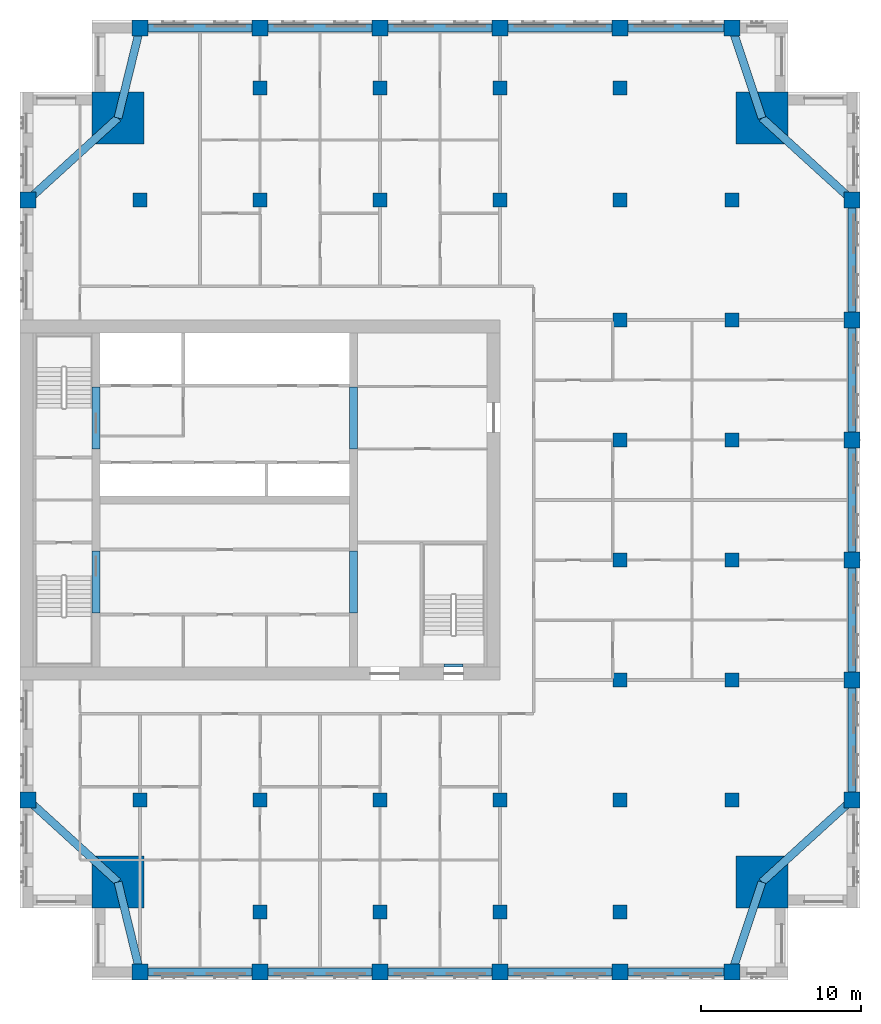
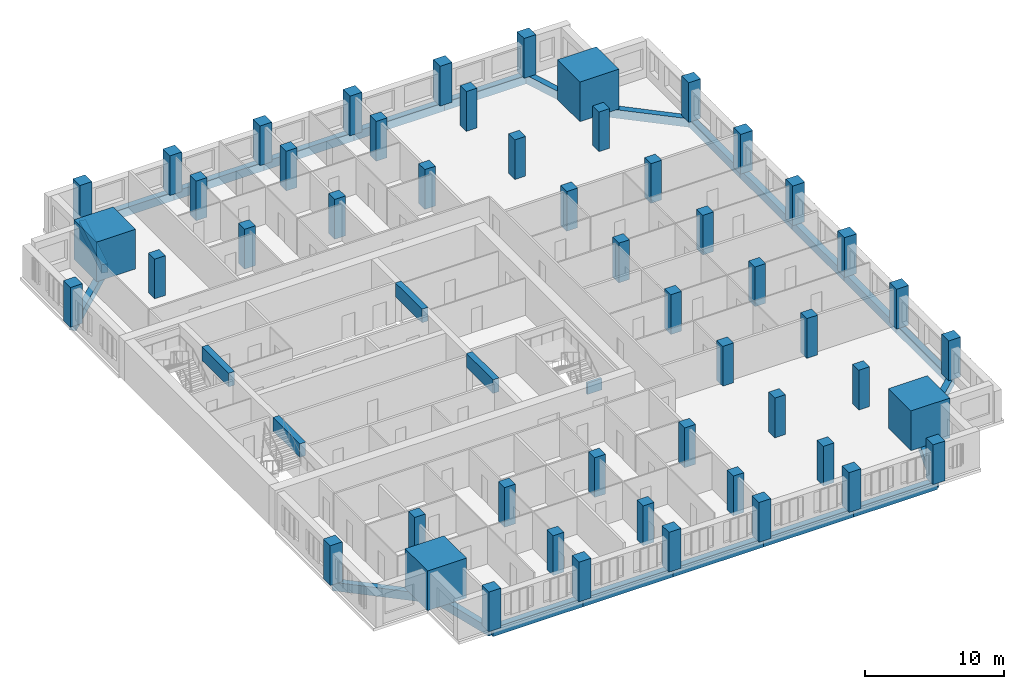
# One storey, part 1 of 14: 52 columns, 28 beams.
"""IFC4 building model written with IfcOpenShell, lengths in metres."""

import ifcopenshell
import ifcopenshell.guid

model = None  # the IFC model being written
_history = None  # IfcOwnerHistory: only IFC2X3 demands one
_inside = {}  # id of a spatial element -> (the spatial element, [elements in it])
_under = {}  # id of a project, library or spatial element -> (it, [spatial elements below it])
_declared = {}  # id of a project -> (the project, [libraries it declares])
_typed = {}  # id of a type object -> (the type object, [elements of that type])
_made_of = {}  # id of a material, layer set ... -> (it, [elements and type objects made of it])


def new_model(schema):
    """Start an empty IFC model of exactly this schema.

    Asked for "IFC4X3", IfcOpenShell would pick the latest addendum, in which some entities
    have other attributes; the version numbers below select the first issue.
    IFC2X3 requires an IfcOwnerHistory on every rooted entity: one is made here for all.
    """
    global model, _history
    if schema == "IFC4X3":
        model = ifcopenshell.file(schema_version=(4, 3, 0, 0))
    else:
        model = ifcopenshell.file(schema=schema)
    _inside.clear()
    _under.clear()
    _declared.clear()
    _typed.clear()
    _made_of.clear()
    _history = None
    if model.schema == "IFC2X3":
        org = make("IfcOrganization", Name="unknown")
        user = make(
            "IfcPersonAndOrganization",
            ThePerson=make("IfcPerson", FamilyName="unknown"),
            TheOrganization=org,
        )
        app = make(
            "IfcApplication",
            ApplicationDeveloper=org,
            Version="unknown",
            ApplicationFullName="unknown",
            ApplicationIdentifier="unknown",
        )
        _history = make(
            "IfcOwnerHistory",
            OwningUser=user,
            OwningApplication=app,
            ChangeAction="ADDED",
            CreationDate=0,
        )
    return model


def make(cls, **values):
    """One entity of the class cls with the attributes given. An attribute that is None is left unset."""
    return model.create_entity(
        cls, **{name: value for name, value in values.items() if value is not None}
    )


def rooted(cls, **values):
    """An entity with a GlobalId (a new one), such as an element, a storey or a relation."""
    return make(cls, GlobalId=ifcopenshell.guid.new(), OwnerHistory=_history, **values)


def si_unit(unit_type, name, prefix=None):
    """IfcSIUnit, for example si_unit("LENGTHUNIT", "METRE", prefix="MILLI")."""
    return make("IfcSIUnit", UnitType=unit_type, Prefix=prefix, Name=name)


def assignment(units):
    """IfcUnitAssignment: the units of a project."""
    return None if units is None else make("IfcUnitAssignment", Units=units)


def point(xyz):
    """IfcCartesianPoint."""
    return None if xyz is None else make("IfcCartesianPoint", Coordinates=xyz)


def direction(xyz):
    """IfcDirection."""
    return None if xyz is None else make("IfcDirection", DirectionRatios=xyz)


def frame(location, z_axis=None, x_axis=None):
    """IfcAxis2Placement3D, a coordinate frame: its origin and axes. An axis left out is left unset."""
    return make(
        "IfcAxis2Placement3D",
        Location=point(location),
        Axis=direction(z_axis),
        RefDirection=direction(x_axis),
    )


def frame_2d(location, x_axis=None):
    """IfcAxis2Placement2D, a coordinate frame in the plane: its origin and x axis."""
    return make(
        "IfcAxis2Placement2D", Location=point(location), RefDirection=direction(x_axis)
    )


def origin():
    """The frame at (0, 0, 0) with its axes left unset."""
    return frame((0.0, 0.0, 0.0))


def origin_2d():
    """The frame at (0, 0) in the plane with its x axis left unset."""
    return frame_2d((0.0, 0.0))


def place(relative_to, where):
    """IfcLocalPlacement: puts the frame where relative to a parent placement (None: the world)."""
    return make(
        "IfcLocalPlacement", PlacementRelTo=relative_to, RelativePlacement=where
    )


def context(
    kind, dimensions, precision=None, world=None, true_north=None, identifier=None
):
    """IfcGeometricRepresentationContext, for example the 3D "Model" context."""
    return make(
        "IfcGeometricRepresentationContext",
        ContextIdentifier=identifier,
        ContextType=kind,
        CoordinateSpaceDimension=dimensions,
        Precision=precision,
        WorldCoordinateSystem=world,
        TrueNorth=true_north,
    )


def subcontext(parent, identifier, kind, view, scale=None):
    """IfcGeometricRepresentationSubContext, for example "Body" below "Model"."""
    return make(
        "IfcGeometricRepresentationSubContext",
        ContextIdentifier=identifier,
        ContextType=kind,
        ParentContext=parent,
        TargetScale=scale,
        TargetView=view,
    )


def project(units=None, contexts=None):
    """IfcProject with its units and contexts."""
    return rooted(
        "IfcProject",
        Name="project",
        RepresentationContexts=contexts,
        UnitsInContext=assignment(units),
    )


def spatial(cls, under=None, at=None, **own):
    """A site, building, storey or space (cls), placed at a placement, below another one or the project."""
    s = rooted(cls, ObjectPlacement=at, **own)
    if under is not None:
        _under.setdefault(under.id(), (under, []))[1].append(s)
    return s


def profile(cls, at=None, kind="AREA", **sizes):
    """A parametric profile (cls). Its sizes go by their IFC names, for example OverallWidth=200.0."""
    return make(cls, ProfileType=kind, Position=at, **sizes)


def rectangle(**sizes):
    """IfcRectangleProfileDef."""
    return profile("IfcRectangleProfileDef", **sizes)


def extrude(swept, where, along, depth):
    """IfcExtrudedAreaSolid: the profile swept, set in the frame where, extruded along a direction by depth."""
    return make(
        "IfcExtrudedAreaSolid",
        SweptArea=swept,
        Position=where,
        ExtrudedDirection=direction(along),
        Depth=depth,
    )


def shape(context_of_items, identifier, shape_type, items):
    """IfcShapeRepresentation: the items that make up one representation, for example the "Body"."""
    return make(
        "IfcShapeRepresentation",
        ContextOfItems=context_of_items,
        RepresentationIdentifier=identifier,
        RepresentationType=shape_type,
        Items=items,
    )


def material(Name=None, Category=None):
    """IfcMaterial."""
    return make("IfcMaterial", Name=Name, Category=Category)


def material_profile(
    of_material, cross_section, Name=None, Category=None, Priority=None
):
    """IfcMaterialProfile: a cross section and its material."""
    return make(
        "IfcMaterialProfile",
        Name=Name,
        Material=of_material,
        Profile=cross_section,
        Priority=Priority,
        Category=Category,
    )


def profile_set(profiles, Name=None, composite=None):
    """IfcMaterialProfileSet."""
    return make(
        "IfcMaterialProfileSet",
        Name=Name,
        MaterialProfiles=profiles,
        CompositeProfile=composite,
    )


def made_of(thing, what):
    """Note that an element or type object is made of a material, layer set ...; save() writes the relation."""
    if what is not None:
        _made_of.setdefault(what.id(), (what, []))[1].append(thing)
    return thing


def type_object(cls, material=None, **own):
    """A type object (cls), such as IfcWallType, which elements share."""
    return made_of(rooted(cls, **own), material)


def element(
    cls,
    number,
    at=None,
    inside=None,
    cuts=None,
    type_object=None,
    material=None,
    context=None,
    identifier="Body",
    shape_type=None,
    held_by="IfcProductDefinitionShape",
    body=None,
    shapes=None,
    **own,
):
    """One element of the class cls, such as IfcWall. Its Tag is "e" and its number.

    at: its placement. inside: the storey or other place that contains it. cuts: it is an
    opening in that element (IfcRelVoidsElement). A single representation is given by context,
    identifier, shape_type and body (its items); several are given by shapes. held_by: the class
    of the entity that holds the representations. save() writes the other relations.
    """
    e = rooted(cls, Tag="e%d" % number, ObjectPlacement=at, **own)
    if body is not None:
        shapes = [shape(context, identifier, shape_type, body)]
    if shapes is not None:
        e.Representation = make(held_by, Representations=shapes)
    if inside is not None:
        _inside.setdefault(inside.id(), (inside, []))[1].append(e)
    if cuts is not None:
        rooted(
            "IfcRelVoidsElement", RelatingBuildingElement=cuts, RelatedOpeningElement=e
        )
    if type_object is not None:
        _typed.setdefault(type_object.id(), (type_object, []))[1].append(e)
    return made_of(e, material)


def aggregate(whole, parts):
    """IfcRelAggregates: a whole, such as a stair, and the parts it consists of."""
    return rooted("IfcRelAggregates", RelatingObject=whole, RelatedObjects=parts)


def save(model, path):
    """Write the relations noted so far, then the file.

    IfcRelAggregates (storeys below a building ...), IfcRelContainedInSpatialStructure (elements
    in a storey), IfcRelDefinesByType, IfcRelAssociatesMaterial and IfcRelDeclares: one each for
    every whole, place, type object, material and project.
    """
    for whole, parts in _under.values():
        aggregate(whole, parts)
    for where, things in _inside.values():
        rooted(
            "IfcRelContainedInSpatialStructure",
            RelatedElements=things,
            RelatingStructure=where,
        )
    for kind, things in _typed.values():
        rooted("IfcRelDefinesByType", RelatedObjects=things, RelatingType=kind)
    for what, things in _made_of.values():
        rooted("IfcRelAssociatesMaterial", RelatedObjects=things, RelatingMaterial=what)
    for by, libraries in _declared.values():
        rooted("IfcRelDeclares", RelatingContext=by, RelatedDefinitions=libraries)
    model.write(path)


model = new_model("IFC4")

# Units and contexts
model_context = context("Model", 3, precision=1e-05, world=origin(), true_north=direction((0.0, 1.0)))
body_context = subcontext(model_context, "Body", "Model", "MODEL_VIEW")
ifc_project = project(units=[si_unit("LENGTHUNIT", "METRE"), si_unit("AREAUNIT", "SQUARE_METRE"), si_unit("VOLUMEUNIT", "CUBIC_METRE"), si_unit("PLANEANGLEUNIT", "RADIAN"), si_unit("MASSUNIT", "GRAM", prefix="KILO")], contexts=[model_context])

# Site, building, storey
site_placement = place(None, origin())
site = spatial("IfcSite", under=ifc_project, at=site_placement, CompositionType="ELEMENT")
building_placement = place(site_placement, origin())
building = spatial("IfcBuilding", under=site, at=building_placement, Name="Tamorin Gate", CompositionType="ELEMENT")
storey_placement = place(building_placement, frame((0.0, 0.0, 207.199951171875)))
storey = spatial("IfcBuildingStorey", under=building, at=storey_placement, Name="L51", CompositionType="ELEMENT", Elevation=207.199951171875)

# Columns
ifc_material_1 = material(Name="Concrete C60/75", Category="concrete")
ifc_material_profile_1 = material_profile(ifc_material_1, rectangle(XDim=1.0, YDim=1.0, at=origin_2d()), Name="RC 1000x1000")
ifc_profile_set_1 = profile_set([ifc_material_profile_1], Name="Concrete C60/75")
column_type_1 = type_object("IfcColumnType", Name="RC column 1000x1000 C60/75", PredefinedType="COLUMN", material=ifc_profile_set_1)
for number, where, z_axis, x_axis, name in (
    (1, (37.5, 41.75, 0.0), (0.0, 0.0, 1.0), (1.0, 0.0, 0.0), "Ring column L51"),
    (2, (45.0, 41.75, 0.0), (0.0, 0.0, 1.0), (1.0, 0.0, 0.0), "Ring column L51"),
    (3, (52.5, 41.75, 0.0), (0.0, 0.0, 1.0), (1.0, 0.0, 0.0), "Ring column L51"),
    (4, (60.0, 41.75, 0.0), (0.0, 0.0, 1.0), (1.0, 0.0, 0.0), "Ring column L51"),
    (5, (67.5, 41.75, 0.0), (0.0, 0.0, 1.0), (1.0, 0.0, 0.0), "Ring column L51"),
    (6, (74.5, 41.75, 0.0), (0.0, 0.0, 1.0), (1.0, 0.0, 0.0), "Ring column L51"),
    (7, (37.5, 100.75, 0.0), (0.0, 0.0, 1.0), (1.0, 0.0, 0.0), "Ring column L51"),
    (8, (45.0, 100.75, 0.0), (0.0, 0.0, 1.0), (1.0, 0.0, 0.0), "Ring column L51"),
    (9, (52.5, 100.75, 0.0), (0.0, 0.0, 1.0), (1.0, 0.0, 0.0), "Ring column L51"),
    (10, (60.0, 100.75, 0.0), (0.0, 0.0, 1.0), (1.0, 0.0, 0.0), "Ring column L51"),
    (11, (67.5, 100.75, 0.0), (0.0, 0.0, 1.0), (1.0, 0.0, 0.0), "Ring column L51"),
    (12, (74.5, 100.75, 0.0), (0.0, 0.0, 1.0), (1.0, 0.0, 0.0), "Ring column L51"),
    (13, (30.5, 52.5, 0.0), (0.0, 0.0, 1.0), (1.0, 0.0, 0.0), "Ring column L51"),
    (14, (30.5, 90.0, 0.0), (0.0, 0.0, 1.0), (1.0, 0.0, 0.0), "Ring column L51"),
    (15, (82.0, 52.5, 0.0), (0.0, 0.0, 1.0), (1.0, 0.0, 0.0), "Ring column L51"),
    (16, (82.0, 60.0, 0.0), (0.0, 0.0, 1.0), (1.0, 0.0, 0.0), "Ring column L51"),
    (17, (82.0, 67.5, 0.0), (0.0, 0.0, 1.0), (1.0, 0.0, 0.0), "Ring column L51"),
    (18, (82.0, 75.0, 0.0), (0.0, 0.0, 1.0), (1.0, 0.0, 0.0), "Ring column L51"),
    (19, (82.0, 82.5, 0.0), (0.0, 0.0, 1.0), (1.0, 0.0, 0.0), "Ring column L51"),
    (20, (82.0, 90.0, 0.0), (0.0, 0.0, 1.0), (1.0, 0.0, 0.0), "Ring column L51"),
):
    element("IfcColumn", number, at=place(storey_placement, frame(where, z_axis=z_axis, x_axis=x_axis)), inside=storey, type_object=column_type_1, Name=name, PredefinedType="COLUMN", context=body_context, shape_type="SweptSolid", body=[
        extrude(rectangle(XDim=1.0, YDim=1.0, at=origin_2d()), origin(), (0.0, 0.0, 1.0), 3.5),
    ])
ifc_material_profile_2 = material_profile(ifc_material_1, rectangle(XDim=3.25, YDim=3.25, at=origin_2d()), Name="RC 3250x3250")
ifc_profile_set_2 = profile_set([ifc_material_profile_2], Name="Concrete C60/75")
column_type_2 = type_object("IfcColumnType", Name="RC column 3250x3250 C60/75", PredefinedType="COLUMN", material=ifc_profile_set_2)
for number, where, z_axis, x_axis, name in (
    (21, (36.125, 47.375, 0.0), (0.0, 0.0, 1.0), (1.0, 0.0, 0.0), "Mega column SW L51"),
    (22, (76.375, 47.375, 0.0), (0.0, 0.0, 1.0), (1.0, 0.0, 0.0), "Mega column SE L51"),
    (23, (36.125, 95.125, 0.0), (0.0, 0.0, 1.0), (1.0, 0.0, 0.0), "Mega column NW L51"),
    (24, (76.375, 95.125, 0.0), (0.0, 0.0, 1.0), (1.0, 0.0, 0.0), "Mega column NE L51"),
):
    element("IfcColumn", number, at=place(storey_placement, frame(where, z_axis=z_axis, x_axis=x_axis)), inside=storey, type_object=column_type_2, Name=name, PredefinedType="COLUMN", context=body_context, shape_type="SweptSolid", body=[
        extrude(rectangle(XDim=3.25, YDim=3.25, at=origin_2d()), origin(), (0.0, 0.0, 1.0), 3.5),
    ])
ifc_material_profile_3 = material_profile(ifc_material_1, rectangle(XDim=0.89990234375, YDim=0.89990234375, at=origin_2d()), Name="RC 900x900")
ifc_profile_set_3 = profile_set([ifc_material_profile_3], Name="Concrete C60/75")
column_type_3 = type_object("IfcColumnType", Name="RC column 900x900 C60/75", PredefinedType="COLUMN", material=ifc_profile_set_3)
for number, where, z_axis, x_axis, name in (
    (25, (37.5, 52.5, 0.0), (0.0, 0.0, 1.0), (1.0, 0.0, 0.0), "Interior column L51"),
    (26, (37.5, 90.0, 0.0), (0.0, 0.0, 1.0), (1.0, 0.0, 0.0), "Interior column L51"),
    (27, (45.0, 45.5, 0.0), (0.0, 0.0, 1.0), (1.0, 0.0, 0.0), "Interior column L51"),
    (28, (45.0, 52.5, 0.0), (0.0, 0.0, 1.0), (1.0, 0.0, 0.0), "Interior column L51"),
    (29, (45.0, 90.0, 0.0), (0.0, 0.0, 1.0), (1.0, 0.0, 0.0), "Interior column L51"),
    (30, (45.0, 97.0, 0.0), (0.0, 0.0, 1.0), (1.0, 0.0, 0.0), "Interior column L51"),
    (31, (52.5, 45.5, 0.0), (0.0, 0.0, 1.0), (1.0, 0.0, 0.0), "Interior column L51"),
    (32, (52.5, 52.5, 0.0), (0.0, 0.0, 1.0), (1.0, 0.0, 0.0), "Interior column L51"),
    (33, (52.5, 90.0, 0.0), (0.0, 0.0, 1.0), (1.0, 0.0, 0.0), "Interior column L51"),
    (34, (52.5, 97.0, 0.0), (0.0, 0.0, 1.0), (1.0, 0.0, 0.0), "Interior column L51"),
    (35, (60.0, 45.5, 0.0), (0.0, 0.0, 1.0), (1.0, 0.0, 0.0), "Interior column L51"),
    (36, (60.0, 52.5, 0.0), (0.0, 0.0, 1.0), (1.0, 0.0, 0.0), "Interior column L51"),
    (37, (60.0, 90.0, 0.0), (0.0, 0.0, 1.0), (1.0, 0.0, 0.0), "Interior column L51"),
    (38, (60.0, 97.0, 0.0), (0.0, 0.0, 1.0), (1.0, 0.0, 0.0), "Interior column L51"),
    (39, (67.5, 45.5, 0.0), (0.0, 0.0, 1.0), (1.0, 0.0, 0.0), "Interior column L51"),
    (40, (67.5, 52.5, 0.0), (0.0, 0.0, 1.0), (1.0, 0.0, 0.0), "Interior column L51"),
    (41, (67.5, 60.0, 0.0), (0.0, 0.0, 1.0), (1.0, 0.0, 0.0), "Interior column L51"),
    (42, (67.5, 67.5, 0.0), (0.0, 0.0, 1.0), (1.0, 0.0, 0.0), "Interior column L51"),
    (43, (67.5, 75.0, 0.0), (0.0, 0.0, 1.0), (1.0, 0.0, 0.0), "Interior column L51"),
    (44, (67.5, 82.5, 0.0), (0.0, 0.0, 1.0), (1.0, 0.0, 0.0), "Interior column L51"),
    (45, (67.5, 90.0, 0.0), (0.0, 0.0, 1.0), (1.0, 0.0, 0.0), "Interior column L51"),
    (46, (67.5, 97.0, 0.0), (0.0, 0.0, 1.0), (1.0, 0.0, 0.0), "Interior column L51"),
    (47, (74.5, 52.5, 0.0), (0.0, 0.0, 1.0), (1.0, 0.0, 0.0), "Interior column L51"),
    (48, (74.5, 60.0, 0.0), (0.0, 0.0, 1.0), (1.0, 0.0, 0.0), "Interior column L51"),
    (49, (74.5, 67.5, 0.0), (0.0, 0.0, 1.0), (1.0, 0.0, 0.0), "Interior column L51"),
    (50, (74.5, 75.0, 0.0), (0.0, 0.0, 1.0), (1.0, 0.0, 0.0), "Interior column L51"),
    (51, (74.5, 82.5, 0.0), (0.0, 0.0, 1.0), (1.0, 0.0, 0.0), "Interior column L51"),
    (52, (74.5, 90.0, 0.0), (0.0, 0.0, 1.0), (1.0, 0.0, 0.0), "Interior column L51"),
):
    element("IfcColumn", number, at=place(storey_placement, frame(where, z_axis=z_axis, x_axis=x_axis)), inside=storey, type_object=column_type_3, Name=name, PredefinedType="COLUMN", context=body_context, shape_type="SweptSolid", body=[
        extrude(rectangle(XDim=0.89990234375, YDim=0.89990234375, at=origin_2d()), origin(), (0.0, 0.0, 1.0), 3.5),
    ])

# Beams
ifc_material_profile_4 = material_profile(ifc_material_1, rectangle(XDim=0.5, YDim=1.199951171875, at=origin_2d()), Name="RC 500x1200")
ifc_profile_set_4 = profile_set([ifc_material_profile_4], Name="Concrete C60/75")
beam_type_1 = type_object("IfcBeamType", Name="RC coupling beam 500x1200 C60/75", PredefinedType="BEAM", material=ifc_profile_set_4)
for number, where, z_axis, x_axis, name in (
    (53, (34.75, 64.199951171875, 2.900146484375), (0.0, 1.0, 0.0), (-1.0, 0.0, 0.0), "Coupling beam L51"),
    (54, (34.75, 74.449951171875, 2.900146484375), (0.0, 1.0, 0.0), (-1.0, 0.0, 0.0), "Coupling beam L51"),
    (55, (50.85009765625, 64.199951171875, 2.900146484375), (0.0, 1.0, 0.0), (-1.0, 0.0, 0.0), "Coupling beam L51"),
    (56, (50.85009765625, 74.449951171875, 2.900146484375), (0.0, 1.0, 0.0), (-1.0, 0.0, 0.0), "Coupling beam L51"),
):
    element("IfcBeam", number, at=place(storey_placement, frame(where, z_axis=z_axis, x_axis=x_axis)), inside=storey, type_object=beam_type_1, Name=name, PredefinedType="BEAM", context=body_context, shape_type="SweptSolid", body=[
        extrude(rectangle(XDim=0.5, YDim=1.199951171875, at=origin_2d()), origin(), (0.0, 0.0, 1.0), 3.85009765625),
    ])
ifc_material_2 = material(Name="Concrete C50/60", Category="concrete")
ifc_material_profile_5 = material_profile(ifc_material_2, rectangle(XDim=0.5, YDim=0.75, at=origin_2d()), Name="RC 500x750")
ifc_profile_set_5 = profile_set([ifc_material_profile_5], Name="Concrete C50/60")
beam_type_2 = type_object("IfcBeamType", Name="RC spandrel 500x750 C50/60", PredefinedType="BEAM", material=ifc_profile_set_5)
for number, where, z_axis, x_axis, name in (
    (57, (37.5, 41.75, -0.375), (1.0, 0.0, 0.0), (0.0, 1.0, 0.0), "Spandrel beam L51"),
    (58, (45.0, 41.75, -0.375), (1.0, 0.0, 0.0), (0.0, 1.0, 0.0), "Spandrel beam L51"),
    (59, (52.5, 41.75, -0.375), (1.0, 0.0, 0.0), (0.0, 1.0, 0.0), "Spandrel beam L51"),
    (60, (60.0, 41.75, -0.375), (1.0, 0.0, 0.0), (0.0, 1.0, 0.0), "Spandrel beam L51"),
):
    element("IfcBeam", number, at=place(storey_placement, frame(where, z_axis=z_axis, x_axis=x_axis)), inside=storey, type_object=beam_type_2, Name=name, PredefinedType="BEAM", context=body_context, shape_type="SweptSolid", body=[
        extrude(rectangle(XDim=0.5, YDim=0.75, at=origin_2d()), origin(), (0.0, 0.0, 1.0), 7.5),
    ])
beam_1_placement = place(storey_placement, frame((67.5, 41.75, -0.375), z_axis=(1.0, 0.0, 0.0), x_axis=(0.0, 1.0, 0.0)))
element("IfcBeam", 61, at=beam_1_placement, inside=storey, type_object=beam_type_2, Name="Spandrel beam L51", PredefinedType="BEAM", context=body_context, shape_type="SweptSolid", body=[
    extrude(rectangle(XDim=0.5, YDim=0.75, at=origin_2d()), origin(), (0.0, 0.0, 1.0), 7.0),
])
for number, where, z_axis, x_axis, name in (
    (62, (82.0, 52.5, -0.375), (0.0, 1.0, 0.0), (-1.0, 0.0, 0.0), "Spandrel beam L51"),
    (63, (82.0, 60.0, -0.375), (0.0, 1.0, 0.0), (-1.0, 0.0, 0.0), "Spandrel beam L51"),
    (64, (82.0, 67.5, -0.375), (0.0, 1.0, 0.0), (-1.0, 0.0, 0.0), "Spandrel beam L51"),
    (65, (82.0, 75.0, -0.375), (0.0, 1.0, 0.0), (-1.0, 0.0, 0.0), "Spandrel beam L51"),
    (66, (82.0, 82.5, -0.375), (0.0, 1.0, 0.0), (-1.0, 0.0, 0.0), "Spandrel beam L51"),
):
    element("IfcBeam", number, at=place(storey_placement, frame(where, z_axis=z_axis, x_axis=x_axis)), inside=storey, type_object=beam_type_2, Name=name, PredefinedType="BEAM", context=body_context, shape_type="SweptSolid", body=[
        extrude(rectangle(XDim=0.5, YDim=0.75, at=origin_2d()), origin(), (0.0, 0.0, 1.0), 7.5),
    ])
beam_2_placement = place(storey_placement, frame((74.5, 100.75, -0.375), z_axis=(-1.0, 0.0, 0.0), x_axis=(0.0, -1.0, 0.0)))
element("IfcBeam", 67, at=beam_2_placement, inside=storey, type_object=beam_type_2, Name="Spandrel beam L51", PredefinedType="BEAM", context=body_context, shape_type="SweptSolid", body=[
    extrude(rectangle(XDim=0.5, YDim=0.75, at=origin_2d()), origin(), (0.0, 0.0, 1.0), 7.0),
])
for number, where, z_axis, x_axis, name in (
    (68, (67.5, 100.75, -0.375), (-1.0, 0.0, 0.0), (0.0, -1.0, 0.0), "Spandrel beam L51"),
    (69, (60.0, 100.75, -0.375), (-1.0, 0.0, 0.0), (0.0, -1.0, 0.0), "Spandrel beam L51"),
    (70, (52.5, 100.75, -0.375), (-1.0, 0.0, 0.0), (0.0, -1.0, 0.0), "Spandrel beam L51"),
    (71, (45.0, 100.75, -0.375), (-1.0, 0.0, 0.0), (0.0, -1.0, 0.0), "Spandrel beam L51"),
):
    element("IfcBeam", number, at=place(storey_placement, frame(where, z_axis=z_axis, x_axis=x_axis)), inside=storey, type_object=beam_type_2, Name=name, PredefinedType="BEAM", context=body_context, shape_type="SweptSolid", body=[
        extrude(rectangle(XDim=0.5, YDim=0.75, at=origin_2d()), origin(), (0.0, 0.0, 1.0), 7.5),
    ])
beam_3_placement = place(storey_placement, frame((36.125, 47.375, -0.375), z_axis=(0.237453090477, -0.971399006497, 0.0), x_axis=(0.971399006497, 0.237453090477, 0.0)))
element("IfcBeam", 72, at=beam_3_placement, inside=storey, type_object=beam_type_2, Name="Corner tie beam L51", PredefinedType="BEAM", context=body_context, shape_type="SweptSolid", body=[
    extrude(rectangle(XDim=0.5, YDim=0.75, at=origin_2d()), origin(), (0.0, 0.0, 1.0), 5.79052734375),
])
beam_4_placement = place(storey_placement, frame((36.125, 47.375, -0.375), z_axis=(-0.739196337275, 0.673489996184, 0.0), x_axis=(-0.673489996184, -0.739196337275, 0.0)))
element("IfcBeam", 73, at=beam_4_placement, inside=storey, type_object=beam_type_2, Name="Corner tie beam L51", PredefinedType="BEAM", context=body_context, shape_type="SweptSolid", body=[
    extrude(rectangle(XDim=0.5, YDim=0.75, at=origin_2d()), origin(), (0.0, 0.0, 1.0), 7.609619140625),
])
beam_5_placement = place(storey_placement, frame((76.375, 47.375, -0.375), z_axis=(-0.316227766017, -0.948683298051, 0.0), x_axis=(0.948683298051, -0.316227766017, 0.0)))
element("IfcBeam", 74, at=beam_5_placement, inside=storey, type_object=beam_type_2, Name="Corner tie beam L51", PredefinedType="BEAM", context=body_context, shape_type="SweptSolid", body=[
    extrude(rectangle(XDim=0.5, YDim=0.75, at=origin_2d()), origin(), (0.0, 0.0, 1.0), 5.92919921875),
])
beam_6_placement = place(storey_placement, frame((76.375, 47.375, -0.375), z_axis=(0.739196337275, 0.673489996184, 0.0), x_axis=(-0.673489996184, 0.739196337275, 0.0)))
element("IfcBeam", 75, at=beam_6_placement, inside=storey, type_object=beam_type_2, Name="Corner tie beam L51", PredefinedType="BEAM", context=body_context, shape_type="SweptSolid", body=[
    extrude(rectangle(XDim=0.5, YDim=0.75, at=origin_2d()), origin(), (0.0, 0.0, 1.0), 7.609619140625),
])
beam_7_placement = place(storey_placement, frame((36.125, 95.125, -0.375), z_axis=(0.237453090477, 0.971399006497, 0.0), x_axis=(-0.971399006497, 0.237453090477, 0.0)))
element("IfcBeam", 76, at=beam_7_placement, inside=storey, type_object=beam_type_2, Name="Corner tie beam L51", PredefinedType="BEAM", context=body_context, shape_type="SweptSolid", body=[
    extrude(rectangle(XDim=0.5, YDim=0.75, at=origin_2d()), origin(), (0.0, 0.0, 1.0), 5.79052734375),
])
beam_8_placement = place(storey_placement, frame((36.125, 95.125, -0.375), z_axis=(-0.739196337275, -0.673489996184, 0.0), x_axis=(0.673489996184, -0.739196337275, 0.0)))
element("IfcBeam", 77, at=beam_8_placement, inside=storey, type_object=beam_type_2, Name="Corner tie beam L51", PredefinedType="BEAM", context=body_context, shape_type="SweptSolid", body=[
    extrude(rectangle(XDim=0.5, YDim=0.75, at=origin_2d()), origin(), (0.0, 0.0, 1.0), 7.609619140625),
])
beam_9_placement = place(storey_placement, frame((76.375, 95.125, -0.375), z_axis=(-0.316227766017, 0.948683298051, 0.0), x_axis=(-0.948683298051, -0.316227766017, 0.0)))
element("IfcBeam", 78, at=beam_9_placement, inside=storey, type_object=beam_type_2, Name="Corner tie beam L51", PredefinedType="BEAM", context=body_context, shape_type="SweptSolid", body=[
    extrude(rectangle(XDim=0.5, YDim=0.75, at=origin_2d()), origin(), (0.0, 0.0, 1.0), 5.92919921875),
])
beam_10_placement = place(storey_placement, frame((76.375, 95.125, -0.375), z_axis=(0.739196337275, -0.673489996184, 0.0), x_axis=(0.673489996184, 0.739196337275, 0.0)))
element("IfcBeam", 79, at=beam_10_placement, inside=storey, type_object=beam_type_2, Name="Corner tie beam L51", PredefinedType="BEAM", context=body_context, shape_type="SweptSolid", body=[
    extrude(rectangle(XDim=0.5, YDim=0.75, at=origin_2d()), origin(), (0.0, 0.0, 1.0), 7.609619140625),
])
ifc_material_profile_6 = material_profile(ifc_material_1, rectangle(XDim=0.199951171875, YDim=1.0, at=origin_2d()))
ifc_profile_set_6 = profile_set([ifc_material_profile_6], Name="Concrete C60/75")
beam_type_3 = type_object("IfcBeamType", Name="Stair lintel 200x1000 C60/75", PredefinedType="BEAM", material=ifc_profile_set_6)
beam_11_placement = place(storey_placement, frame((56.5, 60.89990234375, 2.699951171875), z_axis=(1.0, 0.0, 0.0), x_axis=(0.0, 1.0, 0.0)))
element("IfcBeam", 80, at=beam_11_placement, inside=storey, type_object=beam_type_3, Name="Stair lintel", PredefinedType="BEAM", context=body_context, shape_type="SweptSolid", body=[
    extrude(rectangle(XDim=0.199951171875, YDim=1.0, at=origin_2d()), origin(), (0.0, 0.0, 1.0), 1.199951171875),
])

save(model, "model.ifc")
